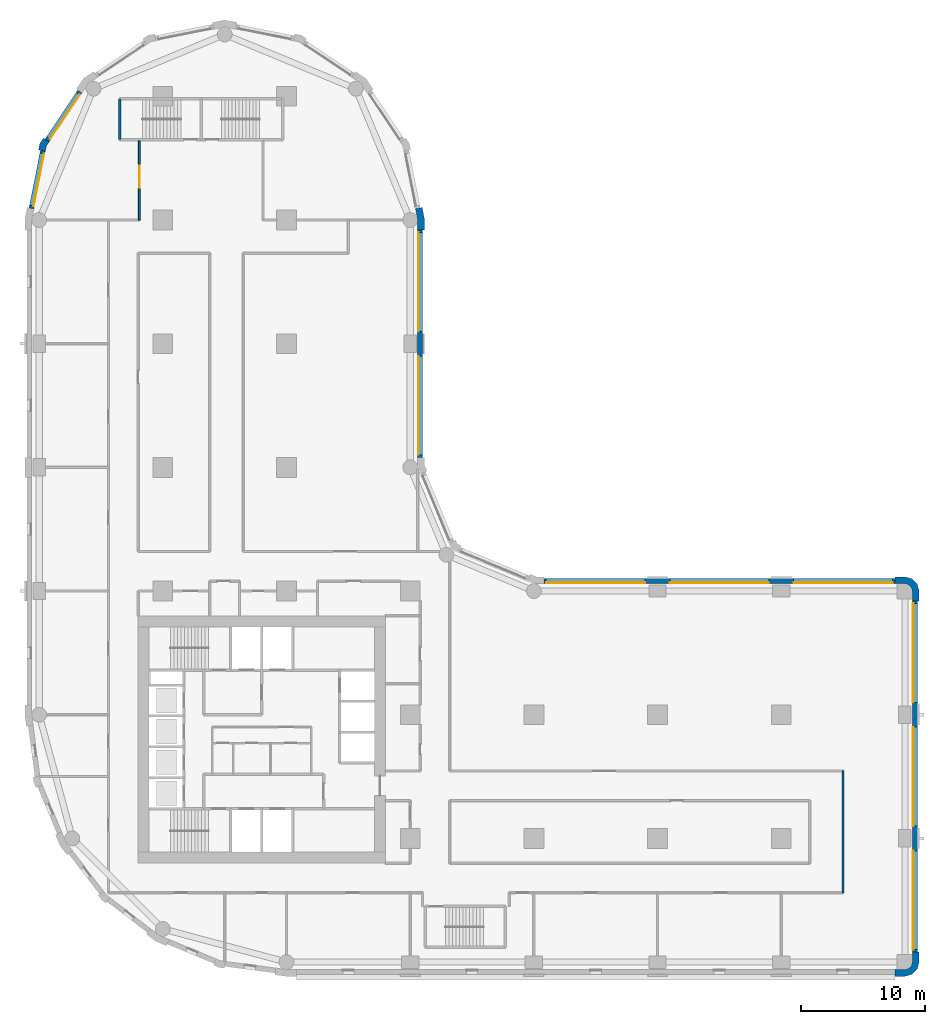
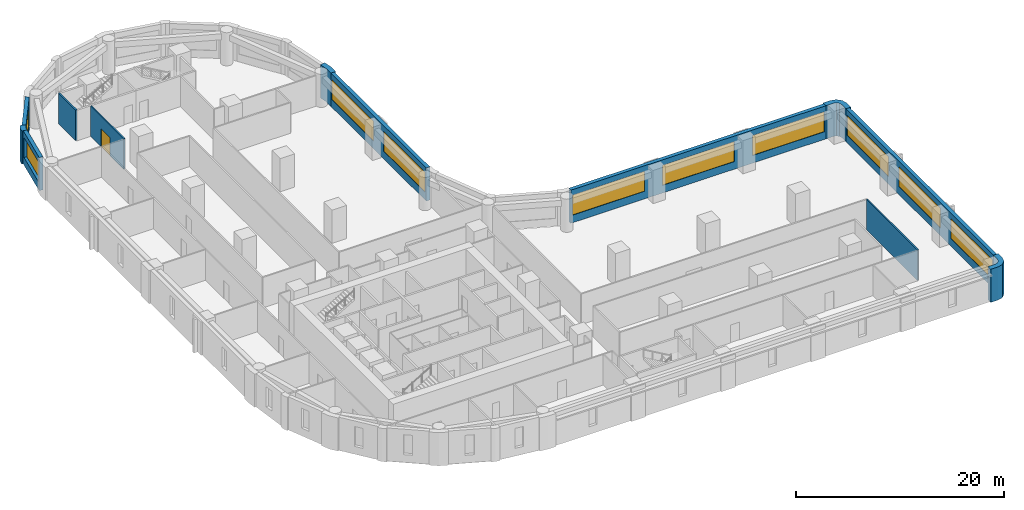
# One storey, part 6 of 10: 12 walls, 10 windows, 1 door, 11 openings.
"""IFC4 building model written with IfcOpenShell, lengths in metres."""

from ifc_helpers import new_model, si_unit, direction, frame, frame_2d, origin, place, context, subcontext, project, spatial, polyline, rectangle, outline, extrude, material, layer, layer_set, type_object, element, fill, save


model = new_model("IFC4")

# Units and contexts
model_context = context("Model", 3, precision=1e-05, world=origin(), true_north=direction((0.0, 1.0)))
body_context = subcontext(model_context, "Body", "Model", "MODEL_VIEW")
ifc_project = project(units=[si_unit("LENGTHUNIT", "METRE"), si_unit("AREAUNIT", "SQUARE_METRE"), si_unit("VOLUMEUNIT", "CUBIC_METRE"), si_unit("PLANEANGLEUNIT", "RADIAN"), si_unit("MASSUNIT", "GRAM", prefix="KILO")], contexts=[model_context])

# Site, building, storey
site_placement = place(None, origin())
site = spatial("IfcSite", under=ifc_project, at=site_placement, CompositionType="ELEMENT")
building_placement = place(site_placement, origin())
building = spatial("IfcBuilding", under=site, at=building_placement, Name="Qaws Garden Tower", CompositionType="ELEMENT")
storey_placement = place(building_placement, frame((0.0, 0.0, 54.89990234375)))
storey = spatial("IfcBuildingStorey", under=building, at=storey_placement, Name="L13", CompositionType="ELEMENT", Elevation=54.89990234375)

# Walls
ifc_material_1 = material(Name="Clay facing brick masonry", Category="masonry")
ifc_layer_1 = layer(ifc_material_1, 0.550048828125)
ifc_layer_set_1 = layer_set([ifc_layer_1], Name="Clay facing brick masonry")
wall_type_1 = type_object("IfcWallType", Name="Brick corner pier 550 x 2400", PredefinedType="SOLIDWALL", material=ifc_layer_set_1)
placement = place(storey_placement, origin())
element("IfcWall", 1, at=placement, inside=storey, type_object=wall_type_1, Name="E-L13-pier-05", PredefinedType="SOLIDWALL", context=body_context, shape_type="SweptSolid", body=[
    extrude(outline(polyline([(69.199951171875, -1.0), (69.199951171875, -1.14990234375), (70.0, -1.14990234375), (70.574951171875, -0.995849609375), (70.995849609375, -0.574951171875), (71.14990234375, 0.0), (71.14990234375, 0.800048828125), (71.0, 0.800048828125), (70.60009765625, 0.800048828125), (70.60009765625, 0.0), (70.51953125, -0.300048828125), (70.300048828125, -0.51953125), (70.0, -0.60009765625), (69.199951171875, -0.60009765625), (69.199951171875, -1.0)])), origin(), (0.0, 0.0, 1.0), 3.900146484375),
])
element("IfcWall", 2, at=placement, inside=storey, type_object=wall_type_1, Name="E-L13-pier-08", PredefinedType="SOLIDWALL", context=body_context, shape_type="SweptSolid", body=[
    extrude(outline(polyline([(71.0, 29.199951171875), (71.14990234375, 29.199951171875), (71.14990234375, 30.0), (70.995849609375, 30.574951171875), (70.574951171875, 30.995849609375), (70.0, 31.14990234375), (69.199951171875, 31.14990234375), (69.199951171875, 31.0), (69.199951171875, 30.60009765625), (70.0, 30.60009765625), (70.300048828125, 30.51953125), (70.51953125, 30.300048828125), (70.60009765625, 30.0), (70.60009765625, 29.199951171875), (71.0, 29.199951171875)])), origin(), (0.0, 0.0, 1.0), 3.900146484375),
])

# Wall, openings, windows
ifc_material_2 = material(Name="Clay facing brick masonry", Category="masonry")
ifc_layer_2 = layer(ifc_material_2, 0.39990234375)
ifc_layer_set_2 = layer_set([ifc_layer_2], Name="Clay facing brick masonry")
wall_type_2 = type_object("IfcWallType", Name="Brick infill wall 400", PredefinedType="SOLIDWALL", material=ifc_layer_set_2)
wall_3_placement = place(storey_placement, frame((70.800048828125, 0.800048828125, 0.0), z_axis=(0.0, 0.0, 1.0), x_axis=(0.0, 1.0, 0.0)))
wall_3 = element("IfcWall", 3, at=wall_3_placement, inside=storey, type_object=wall_type_2, Name="E-L13-infill-05", PredefinedType="SOLIDWALL", context=body_context, shape_type="SweptSolid", body=[
    extrude(rectangle(XDim=28.39990234375, YDim=0.39990234375, at=frame_2d((14.199951171875, 0.0))), origin(), (0.0, 0.0, 1.0), 3.900146484375),
])
opening_1_placement = place(wall_3_placement, frame((0.199951171875, 0.0, 0.89990234375)))
opening_1 = element("IfcOpeningElement", 4, at=opening_1_placement, cuts=wall_3, Name="Opening W01", PredefinedType="OPENING", context=body_context, shape_type="SweptSolid", body=[
    extrude(rectangle(XDim=8.0, YDim=2.35009765625, at=frame_2d((4.0, 1.175048828125))), frame((0.0, 0.2099609375, 0.0), z_axis=(0.0, -1.0, 0.0), x_axis=(1.0, 0.0, 0.0)), (0.0, 0.0, 1.0), 0.419921875),
])
opening_2_placement = place(wall_3_placement, frame((10.199951171875, 0.0, 0.89990234375)))
opening_2 = element("IfcOpeningElement", 5, at=opening_2_placement, cuts=wall_3, Name="Opening W01", PredefinedType="OPENING", context=body_context, shape_type="SweptSolid", body=[
    extrude(rectangle(XDim=8.0, YDim=2.35009765625, at=frame_2d((4.0, 1.175048828125))), frame((0.0, 0.2099609375, 0.0), z_axis=(0.0, -1.0, 0.0), x_axis=(1.0, 0.0, 0.0)), (0.0, 0.0, 1.0), 0.419921875),
])
opening_3_placement = place(wall_3_placement, frame((20.199951171875, 0.0, 0.89990234375)))
opening_3 = element("IfcOpeningElement", 6, at=opening_3_placement, cuts=wall_3, Name="Opening W01", PredefinedType="OPENING", context=body_context, shape_type="SweptSolid", body=[
    extrude(rectangle(XDim=8.0, YDim=2.35009765625, at=frame_2d((4.0, 1.175048828125))), frame((0.0, 0.2099609375, 0.0), z_axis=(0.0, -1.0, 0.0), x_axis=(1.0, 0.0, 0.0)), (0.0, 0.0, 1.0), 0.419921875),
])
ifc_material_3 = material(Name="Aluminium framed window, clear glazing", Category="aluminium")
window_type_1 = type_object("IfcWindowType", Name="Ribbon window 8000 x 2350", PartitioningType="DOUBLE_PANEL_VERTICAL", PredefinedType="WINDOW", material=ifc_material_3)
window_1_placement = place(opening_1_placement, origin())
window_1 = element("IfcWindow", 7, at=window_1_placement, inside=storey, type_object=window_type_1, Name="E-L13-window-05-0", OverallHeight=2.35009765625, OverallWidth=8.0, PartitioningType="SINGLE_PANEL", PredefinedType="WINDOW", context=body_context, shape_type="SweptSolid", body=[
    extrude(rectangle(XDim=8.0, YDim=2.35009765625, at=frame_2d((4.0, 1.175048828125))), frame((0.0, 0.159912109375, 0.0), z_axis=(0.0, -1.0, 0.0), x_axis=(1.0, 0.0, 0.0)), (0.0, 0.0, 1.0), 0.06005859375),
])
fill(opening_1, window_1)
window_2_placement = place(opening_2_placement, origin())
window_2 = element("IfcWindow", 8, at=window_2_placement, inside=storey, type_object=window_type_1, Name="E-L13-window-06-0", OverallHeight=2.35009765625, OverallWidth=8.0, PartitioningType="SINGLE_PANEL", PredefinedType="WINDOW", context=body_context, shape_type="SweptSolid", body=[
    extrude(rectangle(XDim=8.0, YDim=2.35009765625, at=frame_2d((4.0, 1.175048828125))), frame((0.0, 0.159912109375, 0.0), z_axis=(0.0, -1.0, 0.0), x_axis=(1.0, 0.0, 0.0)), (0.0, 0.0, 1.0), 0.06005859375),
])
fill(opening_2, window_2)
window_3_placement = place(opening_3_placement, origin())
window_3 = element("IfcWindow", 9, at=window_3_placement, inside=storey, type_object=window_type_1, Name="E-L13-window-07-0", OverallHeight=2.35009765625, OverallWidth=8.0, PartitioningType="SINGLE_PANEL", PredefinedType="WINDOW", context=body_context, shape_type="SweptSolid", body=[
    extrude(rectangle(XDim=8.0, YDim=2.35009765625, at=frame_2d((4.0, 1.175048828125))), frame((0.0, 0.159912109375, 0.0), z_axis=(0.0, -1.0, 0.0), x_axis=(1.0, 0.0, 0.0)), (0.0, 0.0, 1.0), 0.06005859375),
])
fill(opening_3, window_3)

wall_4_placement = place(storey_placement, frame((69.199951171875, 30.800048828125, 0.0), z_axis=(0.0, 0.0, 1.0), x_axis=(-1.0, 0.0, 0.0)))
wall_4 = element("IfcWall", 10, at=wall_4_placement, inside=storey, type_object=wall_type_2, Name="E-L13-infill-08", PredefinedType="SOLIDWALL", context=body_context, shape_type="SweptSolid", body=[
    extrude(rectangle(XDim=28.39990234375, YDim=0.39990234375, at=frame_2d((14.199951171875, 0.0))), origin(), (0.0, 0.0, 1.0), 3.900146484375),
])
opening_4_placement = place(wall_4_placement, frame((0.199951171875, 0.0, 0.89990234375)))
opening_4 = element("IfcOpeningElement", 11, at=opening_4_placement, cuts=wall_4, Name="Opening W01", PredefinedType="OPENING", context=body_context, shape_type="SweptSolid", body=[
    extrude(rectangle(XDim=8.0, YDim=2.35009765625, at=frame_2d((4.0, 1.175048828125))), frame((0.0, 0.2099609375, 0.0), z_axis=(0.0, -1.0, 0.0), x_axis=(1.0, 0.0, 0.0)), (0.0, 0.0, 1.0), 0.419921875),
])
opening_5_placement = place(wall_4_placement, frame((10.199951171875, 0.0, 0.89990234375)))
opening_5 = element("IfcOpeningElement", 12, at=opening_5_placement, cuts=wall_4, Name="Opening W01", PredefinedType="OPENING", context=body_context, shape_type="SweptSolid", body=[
    extrude(rectangle(XDim=8.0, YDim=2.35009765625, at=frame_2d((4.0, 1.175048828125))), frame((0.0, 0.2099609375, 0.0), z_axis=(0.0, -1.0, 0.0), x_axis=(1.0, 0.0, 0.0)), (0.0, 0.0, 1.0), 0.419921875),
])
opening_6_placement = place(wall_4_placement, frame((20.199951171875, 0.0, 0.89990234375)))
opening_6 = element("IfcOpeningElement", 13, at=opening_6_placement, cuts=wall_4, Name="Opening W01", PredefinedType="OPENING", context=body_context, shape_type="SweptSolid", body=[
    extrude(rectangle(XDim=8.0, YDim=2.35009765625, at=frame_2d((4.0, 1.175048828125))), frame((0.0, 0.2099609375, 0.0), z_axis=(0.0, -1.0, 0.0), x_axis=(1.0, 0.0, 0.0)), (0.0, 0.0, 1.0), 0.419921875),
])
window_4_placement = place(opening_4_placement, origin())
window_4 = element("IfcWindow", 14, at=window_4_placement, inside=storey, type_object=window_type_1, Name="E-L13-window-08-0", OverallHeight=2.35009765625, OverallWidth=8.0, PartitioningType="SINGLE_PANEL", PredefinedType="WINDOW", context=body_context, shape_type="SweptSolid", body=[
    extrude(rectangle(XDim=8.0, YDim=2.35009765625, at=frame_2d((4.0, 1.175048828125))), frame((0.0, 0.159912109375, 0.0), z_axis=(0.0, -1.0, 0.0), x_axis=(1.0, 0.0, 0.0)), (0.0, 0.0, 1.0), 0.06005859375),
])
fill(opening_4, window_4)
window_5_placement = place(opening_5_placement, origin())
window_5 = element("IfcWindow", 15, at=window_5_placement, inside=storey, type_object=window_type_1, Name="E-L13-window-09-0", OverallHeight=2.35009765625, OverallWidth=8.0, PartitioningType="SINGLE_PANEL", PredefinedType="WINDOW", context=body_context, shape_type="SweptSolid", body=[
    extrude(rectangle(XDim=8.0, YDim=2.35009765625, at=frame_2d((4.0, 1.175048828125))), frame((0.0, 0.159912109375, 0.0), z_axis=(0.0, -1.0, 0.0), x_axis=(1.0, 0.0, 0.0)), (0.0, 0.0, 1.0), 0.06005859375),
])
fill(opening_5, window_5)
window_6_placement = place(opening_6_placement, origin())
window_6 = element("IfcWindow", 16, at=window_6_placement, inside=storey, type_object=window_type_1, Name="E-L13-window-10-0", OverallHeight=2.35009765625, OverallWidth=8.0, PartitioningType="SINGLE_PANEL", PredefinedType="WINDOW", context=body_context, shape_type="SweptSolid", body=[
    extrude(rectangle(XDim=8.0, YDim=2.35009765625, at=frame_2d((4.0, 1.175048828125))), frame((0.0, 0.159912109375, 0.0), z_axis=(0.0, -1.0, 0.0), x_axis=(1.0, 0.0, 0.0)), (0.0, 0.0, 1.0), 0.06005859375),
])
fill(opening_6, window_6)

wall_5_placement = place(storey_placement, frame((30.800048828125, 40.800048828125, 0.0), z_axis=(0.0, 0.0, 1.0), x_axis=(0.0, 1.0, 0.0)))
wall_5 = element("IfcWall", 17, at=wall_5_placement, inside=storey, type_object=wall_type_2, Name="E-L13-infill-13", PredefinedType="SOLIDWALL", context=body_context, shape_type="SweptSolid", body=[
    extrude(rectangle(XDim=18.39990234375, YDim=0.39990234375, at=frame_2d((9.199951171875, 0.0))), origin(), (0.0, 0.0, 1.0), 3.900146484375),
])
opening_7_placement = place(wall_5_placement, frame((0.199951171875, 0.0, 0.89990234375)))
opening_7 = element("IfcOpeningElement", 18, at=opening_7_placement, cuts=wall_5, Name="Opening W01", PredefinedType="OPENING", context=body_context, shape_type="SweptSolid", body=[
    extrude(rectangle(XDim=8.0, YDim=2.35009765625, at=frame_2d((4.0, 1.175048828125))), frame((0.0, 0.2099609375, 0.0), z_axis=(0.0, -1.0, 0.0), x_axis=(1.0, 0.0, 0.0)), (0.0, 0.0, 1.0), 0.419921875),
])
opening_8_placement = place(wall_5_placement, frame((10.199951171875, 0.0, 0.89990234375)))
opening_8 = element("IfcOpeningElement", 19, at=opening_8_placement, cuts=wall_5, Name="Opening W01", PredefinedType="OPENING", context=body_context, shape_type="SweptSolid", body=[
    extrude(rectangle(XDim=8.0, YDim=2.35009765625, at=frame_2d((4.0, 1.175048828125))), frame((0.0, 0.2099609375, 0.0), z_axis=(0.0, -1.0, 0.0), x_axis=(1.0, 0.0, 0.0)), (0.0, 0.0, 1.0), 0.419921875),
])
window_7_placement = place(opening_7_placement, origin())
window_7 = element("IfcWindow", 20, at=window_7_placement, inside=storey, type_object=window_type_1, Name="E-L13-window-13-0", OverallHeight=2.35009765625, OverallWidth=8.0, PartitioningType="SINGLE_PANEL", PredefinedType="WINDOW", context=body_context, shape_type="SweptSolid", body=[
    extrude(rectangle(XDim=8.0, YDim=2.35009765625, at=frame_2d((4.0, 1.175048828125))), frame((0.0, 0.159912109375, 0.0), z_axis=(0.0, -1.0, 0.0), x_axis=(1.0, 0.0, 0.0)), (0.0, 0.0, 1.0), 0.06005859375),
])
fill(opening_7, window_7)
window_8_placement = place(opening_8_placement, origin())
window_8 = element("IfcWindow", 21, at=window_8_placement, inside=storey, type_object=window_type_1, Name="E-L13-window-14-0", OverallHeight=2.35009765625, OverallWidth=8.0, PartitioningType="SINGLE_PANEL", PredefinedType="WINDOW", context=body_context, shape_type="SweptSolid", body=[
    extrude(rectangle(XDim=8.0, YDim=2.35009765625, at=frame_2d((4.0, 1.175048828125))), frame((0.0, 0.159912109375, 0.0), z_axis=(0.0, -1.0, 0.0), x_axis=(1.0, 0.0, 0.0)), (0.0, 0.0, 1.0), 0.06005859375),
])
fill(opening_8, window_8)

# Wall, opening, window
wall_6_placement = place(storey_placement, frame((3.28369140625, 70.385986328125, 0.0), z_axis=(0.0, 0.0, 1.0), x_axis=(-0.555541552266, -0.831488775454, 0.0)))
wall_6 = element("IfcWall", 22, at=wall_6_placement, inside=storey, type_object=wall_type_2, Name="E-L13-infill-21", PredefinedType="SOLIDWALL", context=body_context, shape_type="SweptSolid", body=[
    extrude(rectangle(XDim=4.752685546875, YDim=0.39990234375, at=frame_2d((2.37646484375, 0.0))), origin(), (0.0, 0.0, 1.0), 3.900146484375),
])
opening_9_placement = place(wall_6_placement, frame((0.226318359375, 0.0, 0.89990234375)))
opening_9 = element("IfcOpeningElement", 23, at=opening_9_placement, cuts=wall_6, Name="Opening W06", PredefinedType="OPENING", context=body_context, shape_type="SweptSolid", body=[
    extrude(rectangle(XDim=4.300048828125, YDim=2.35009765625, at=frame_2d((2.14990234375, 1.175048828125))), frame((0.0, 0.2099609375, 0.0), z_axis=(0.0, -1.0, 0.0), x_axis=(1.0, 0.0, 0.0)), (0.0, 0.0, 1.0), 0.419921875),
])
ifc_material_4 = material(Name="Aluminium framed window, clear glazing", Category="aluminium")
window_type_2 = type_object("IfcWindowType", Name="Ribbon window 4300 x 2350", PartitioningType="DOUBLE_PANEL_VERTICAL", PredefinedType="WINDOW", material=ifc_material_4)
window_9_placement = place(opening_9_placement, origin())
window_9 = element("IfcWindow", 24, at=window_9_placement, inside=storey, type_object=window_type_2, Name="E-L13-window-21-0", OverallHeight=2.35009765625, OverallWidth=4.300048828125, PartitioningType="SINGLE_PANEL", PredefinedType="WINDOW", context=body_context, shape_type="SweptSolid", body=[
    extrude(rectangle(XDim=4.300048828125, YDim=2.35009765625, at=frame_2d((2.14990234375, 1.175048828125))), frame((0.0, 0.159912109375, 0.0), z_axis=(0.0, -1.0, 0.0), x_axis=(1.0, 0.0, 0.0)), (0.0, 0.0, 1.0), 0.06005859375),
])
fill(opening_9, window_9)

wall_7_placement = place(storey_placement, frame((0.298583984375, 65.60205078125, 0.0), z_axis=(0.0, 0.0, 1.0), x_axis=(-0.195098533057, -0.98078364709, 0.0)))
wall_7 = element("IfcWall", 25, at=wall_7_placement, inside=storey, type_object=wall_type_2, Name="E-L13-infill-22", PredefinedType="SOLIDWALL", context=body_context, shape_type="SweptSolid", body=[
    extrude(rectangle(XDim=4.752685546875, YDim=0.39990234375, at=frame_2d((2.37646484375, 0.0))), origin(), (0.0, 0.0, 1.0), 3.900146484375),
])
opening_10_placement = place(wall_7_placement, frame((0.226318359375, 0.0, 0.89990234375)))
opening_10 = element("IfcOpeningElement", 26, at=opening_10_placement, cuts=wall_7, Name="Opening W06", PredefinedType="OPENING", context=body_context, shape_type="SweptSolid", body=[
    extrude(rectangle(XDim=4.300048828125, YDim=2.35009765625, at=frame_2d((2.14990234375, 1.175048828125))), frame((0.0, 0.2099609375, 0.0), z_axis=(0.0, -1.0, 0.0), x_axis=(1.0, 0.0, 0.0)), (0.0, 0.0, 1.0), 0.419921875),
])
window_10_placement = place(opening_10_placement, origin())
window_10 = element("IfcWindow", 27, at=window_10_placement, inside=storey, type_object=window_type_2, Name="E-L13-window-22-0", OverallHeight=2.35009765625, OverallWidth=4.300048828125, PartitioningType="SINGLE_PANEL", PredefinedType="WINDOW", context=body_context, shape_type="SweptSolid", body=[
    extrude(rectangle(XDim=4.300048828125, YDim=2.35009765625, at=frame_2d((2.14990234375, 1.175048828125))), frame((0.0, 0.159912109375, 0.0), z_axis=(0.0, -1.0, 0.0), x_axis=(1.0, 0.0, 0.0)), (0.0, 0.0, 1.0), 0.06005859375),
])
fill(opening_10, window_10)

# Walls
ifc_material_5 = material(Name="Clay facing brick masonry", Category="masonry")
ifc_layer_3 = layer(ifc_material_5, 0.550048828125)
ifc_layer_set_3 = layer_set([ifc_layer_3], Name="Clay facing brick masonry")
wall_type_3 = type_object("IfcWallType", Name="Brick kink pier 550 x 600", PredefinedType="SOLIDWALL", material=ifc_layer_set_3)
element("IfcWall", 28, at=placement, inside=storey, type_object=wall_type_3, Name="E-L13-pier-22", PredefinedType="SOLIDWALL", context=body_context, shape_type="SweptSolid", body=[
    extrude(outline(polyline([(0.47705078125, 66.545166015625), (0.352294921875, 66.628662109375), (0.05859375, 66.18896484375), (-0.044677734375, 65.67041015625), (0.1025390625, 65.64111328125), (0.494873046875, 65.56298828125), (0.57666015625, 65.974365234375), (0.8095703125, 66.322998046875), (0.47705078125, 66.545166015625)])), origin(), (0.0, 0.0, 1.0), 3.900146484375),
])
ifc_material_6 = material(Name="Clay facing brick masonry", Category="masonry")
ifc_layer_4 = layer(ifc_material_6, 0.550048828125)
ifc_layer_set_4 = layer_set([ifc_layer_4], Name="Clay facing brick masonry")
wall_type_4 = type_object("IfcWallType", Name="Brick pier 550 x 1600", PredefinedType="SOLIDWALL", material=ifc_layer_set_4)
element("IfcWall", 29, at=placement, inside=storey, type_object=wall_type_4, Name="E-L13-pier-15", PredefinedType="SOLIDWALL", context=body_context, shape_type="SweptSolid", body=[
    extrude(outline(polyline([(31.0, 59.199951171875), (31.14990234375, 59.199951171875), (31.14990234375, 60.11328125), (30.971923828125, 61.009033203125), (30.82470703125, 60.979736328125), (30.432373046875, 60.901611328125), (30.60009765625, 60.05908203125), (30.60009765625, 59.199951171875), (31.0, 59.199951171875)])), origin(), (0.0, 0.0, 1.0), 3.900146484375),
])
ifc_material_7 = material(Name="Concrete C80", Category="concrete")
ifc_layer_5 = layer(ifc_material_7, 0.199951171875)
ifc_layer_set_5 = layer_set([ifc_layer_5], Name="Concrete C80")
wall_type_5 = type_object("IfcWallType", Name="Core shaft wall 200 C80", PredefinedType="SHEAR", material=ifc_layer_set_5)
wall_10_placement = place(storey_placement, frame((6.5, 66.5, 0.0), z_axis=(0.0, 0.0, 1.0), x_axis=(0.0, 1.0, 0.0)))
element("IfcWall", 30, at=wall_10_placement, inside=storey, type_object=wall_type_5, Name="Shaft wall", PredefinedType="SHEAR", context=body_context, shape_type="SweptSolid", body=[
    extrude(rectangle(XDim=3.300048828125, YDim=0.199951171875, at=frame_2d((1.64990234375, 0.0))), origin(), (0.0, 0.0, 1.0), 3.580078125),
])

# Wall, opening, door
ifc_material_8 = material(Name="Gypsum board partition")
ifc_layer_6 = layer(ifc_material_8, 0.14990234375)
ifc_layer_set_6 = layer_set([ifc_layer_6], Name="Gypsum board partition")
wall_type_6 = type_object("IfcWallType", Name="PARTITION 150 EI 60", PredefinedType="PARTITIONING", material=ifc_layer_set_6)
wall_11_placement = place(storey_placement, frame((8.10009765625, 60.0, 0.0), z_axis=(0.0, 0.0, 1.0), x_axis=(0.0, 1.0, 0.0)))
wall_11 = element("IfcWall", 31, at=wall_11_placement, inside=storey, type_object=wall_type_6, Name="O-L13-wall-004", PredefinedType="PARTITIONING", context=body_context, shape_type="SweptSolid", body=[
    extrude(rectangle(XDim=6.39990234375, YDim=0.14990234375, at=frame_2d((3.199951171875, 0.0))), origin(), (0.0, 0.0, 1.0), 3.580078125),
])
opening_11_placement = place(wall_11_placement, frame((2.60009765625, 0.0, 0.0)))
opening_11 = element("IfcOpeningElement", 32, at=opening_11_placement, cuts=wall_11, Name="Opening A416", PredefinedType="OPENING", context=body_context, shape_type="SweptSolid", body=[
    extrude(rectangle(XDim=1.800048828125, YDim=2.10009765625, at=frame_2d((0.89990234375, 1.050048828125))), frame((0.0, 0.0849609375, 0.0), z_axis=(0.0, -1.0, 0.0), x_axis=(1.0, 0.0, 0.0)), (0.0, 0.0, 1.0), 0.169921875),
])
ifc_material_9 = material(Name="Timber door leaf", Category="wood")
door_type = type_object("IfcDoorType", Name="DOUBLE DOOR 1800 X 2100", OperationType="DOUBLE_DOOR_SINGLE_SWING", PredefinedType="DOOR", material=ifc_material_9)
door_placement = place(opening_11_placement, origin())
door = element("IfcDoor", 33, at=door_placement, inside=storey, type_object=door_type, Name="O-L13-door-016", OperationType="DOUBLE_DOOR_SINGLE_SWING", OverallHeight=2.10009765625, OverallWidth=1.800048828125, PredefinedType="DOOR", context=body_context, shape_type="SweptSolid", body=[
    extrude(rectangle(XDim=1.800048828125, YDim=2.10009765625, at=frame_2d((0.89990234375, 1.050048828125))), frame((0.0, 0.02490234375, 0.0), z_axis=(0.0, -1.0, 0.0), x_axis=(1.0, 0.0, 0.0)), (0.0, 0.0, 1.0), 0.050048828125),
])
fill(opening_11, door)

# Wall
wall_12_placement = place(storey_placement, frame((65.0, 5.60009765625, 0.0), z_axis=(0.0, 0.0, 1.0), x_axis=(0.0, 1.0, 0.0)))
element("IfcWall", 34, at=wall_12_placement, inside=storey, type_object=wall_type_6, Name="O-L13-wall-028", PredefinedType="PARTITIONING", context=body_context, shape_type="SweptSolid", body=[
    extrude(rectangle(XDim=9.849853515625, YDim=0.14990234375, at=frame_2d((4.9248046875, 0.0))), origin(), (0.0, 0.0, 1.0), 3.580078125),
])

save(model, "model.ifc")
